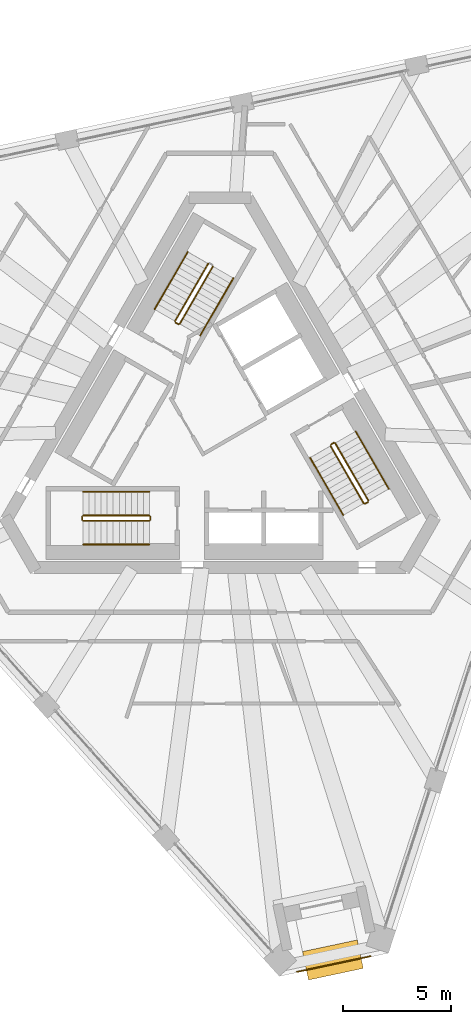
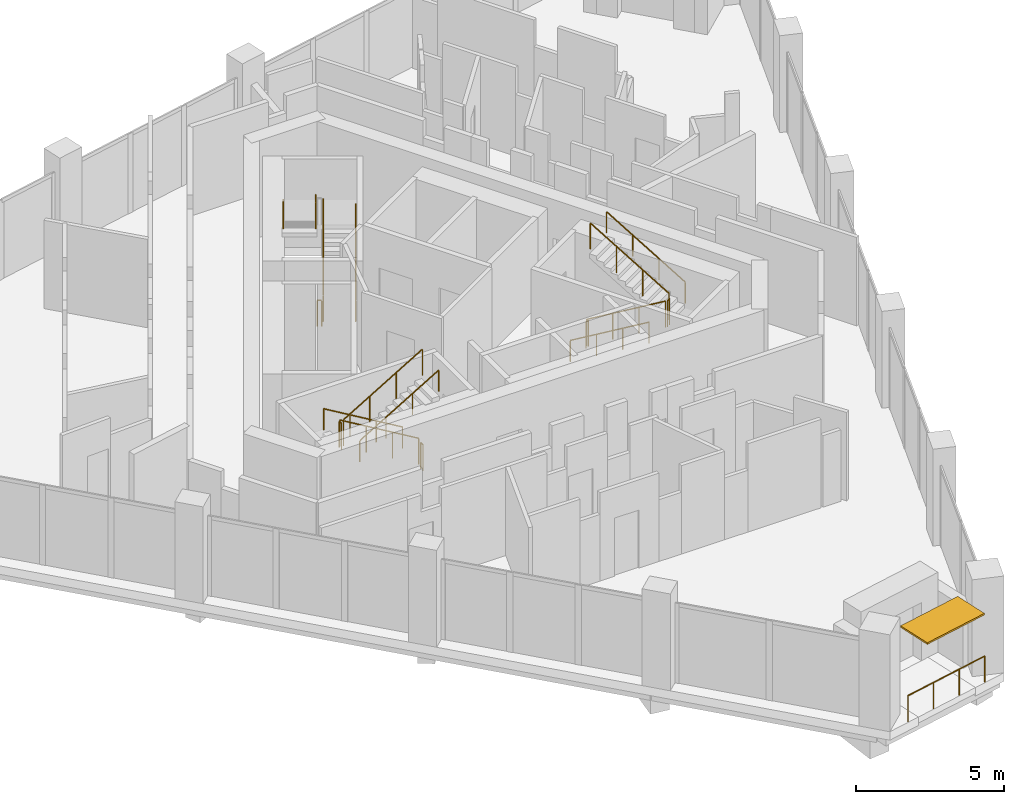
# One storey, part 15 of 17: 18 railings, 1 shading device.
"""IFC4 building model written with IfcOpenShell, lengths in metres."""

from ifc_helpers import new_model, si_unit, direction, frame, origin, origin_2d, place, context, subcontext, project, spatial, rectangle, circle, extrude, material, layer, layer_set, type_object, element, save


model = new_model("IFC4")

# Units and contexts
model_context = context("Model", 3, precision=1e-05, world=origin(), true_north=direction((0.0, 1.0)))
body_context = subcontext(model_context, "Body", "Model", "MODEL_VIEW")
ifc_project = project(units=[si_unit("LENGTHUNIT", "METRE"), si_unit("AREAUNIT", "SQUARE_METRE"), si_unit("VOLUMEUNIT", "CUBIC_METRE"), si_unit("PLANEANGLEUNIT", "RADIAN"), si_unit("MASSUNIT", "GRAM", prefix="KILO")], contexts=[model_context])

# Site, building, storey
site_placement = place(None, origin())
site = spatial("IfcSite", under=ifc_project, at=site_placement, CompositionType="ELEMENT")
building_placement = place(site_placement, origin())
building = spatial("IfcBuilding", under=site, at=building_placement, Name="Tramontana Tower", CompositionType="ELEMENT")
storey_placement = place(building_placement, frame((0.0, 0.0, 348.39990234375)))
storey = spatial("IfcBuildingStorey", under=building, at=storey_placement, Name="L80", CompositionType="ELEMENT", Elevation=348.39990234375)

# Railing
ifc_material_1 = material(Name="Laminated glass balustrade", Category="glass")
railing_type_1 = type_object("IfcRailingType", Name="GD1 Loggia glass balustrade 1100", PredefinedType="BALUSTRADE", material=ifc_material_1)
railing_1_placement = place(storey_placement, frame((7.00732421875, -24.549560546875, 0.0)))
element("IfcRailing", 1, at=railing_1_placement, inside=storey, type_object=railing_type_1, Name="Corner loggia balustrade L80 K81", PredefinedType="BALUSTRADE", context=body_context, shape_type="SweptSolid", body=[
    extrude(circle(Radius=0.02392578125, at=origin_2d()), frame((0.0, 0.0, 1.076171875), z_axis=(-0.978143070564, -0.20793300245, 0.0), x_axis=(0.20793300245, -0.978143070564, 0.0)), (0.0, 0.0, 1.0), 3.5),
    extrude(circle(Radius=0.02099609375, at=origin_2d()), origin(), (0.0, 0.0, 1.0), 1.052001953125),
    extrude(circle(Radius=0.02099609375, at=origin_2d()), frame((-1.14111328125, -0.24267578125, 0.0)), (0.0, 0.0, 1.0), 1.052001953125),
    extrude(circle(Radius=0.02099609375, at=origin_2d()), frame((-2.282470703125, -0.485107421875, 0.0)), (0.0, 0.0, 1.0), 1.052001953125),
    extrude(circle(Radius=0.02099609375, at=origin_2d()), frame((-3.423583984375, -0.727783203125, 0.0)), (0.0, 0.0, 1.0), 1.052001953125),
])

# Shading device
ifc_material_2 = material(Name="Precast concrete 60 MPa", Category="concrete")
ifc_layer = layer(ifc_material_2, 0.070068359375)
ifc_layer_set = layer_set([ifc_layer], Name="SS2 Stone sunshade blade 70")
shading_device_type = type_object("IfcShadingDeviceType", Name="SS2 Stone sunshade blade 70", PredefinedType="USERDEFINED", material=ifc_layer_set)
shading_device_placement = place(storey_placement, frame((5.2548828125, -24.72265625, 3.22998046875), z_axis=(0.0, 0.0, 1.0), x_axis=(-0.978147600734, -0.207911690818, 0.0)))
element("IfcShadingDevice", 2, at=shading_device_placement, inside=storey, type_object=shading_device_type, Name="Corner sunshade L80 K81", ObjectType="SUNSHADE", PredefinedType="USERDEFINED", context=body_context, shape_type="SweptSolid", body=[
    extrude(rectangle(XDim=2.60009765625, YDim=1.35009765625, at=origin_2d()), origin(), (0.0, 0.0, 1.0), 0.070068359375),
])

# Railings
ifc_material_3 = material(Name="Painted steel", Category="steel")
railing_type_2 = type_object("IfcRailingType", Name="STAIR GUARD 1100", PredefinedType="GUARDRAIL", material=ifc_material_3)
railing_2_placement = place(storey_placement, frame((-1.867431640625, 4.865478515625, 0.166748046875)))
element("IfcRailing", 3, at=railing_2_placement, inside=storey, type_object=railing_type_2, Name="L80 ST1 stair guard 1", PredefinedType="GUARDRAIL", context=body_context, shape_type="SweptSolid", body=[
    extrude(circle(Radius=0.02392578125, at=origin_2d()), frame((0.0, 0.0, 1.076171875), z_axis=(0.429649414936, 0.744189839504, 0.511451721109), x_axis=(-0.866029832698, 0.499992328818, 0.0)), (0.0, 0.0, 1.0), 3.58447265625),
    extrude(circle(Radius=0.02099609375, at=origin_2d()), origin(), (0.0, 0.0, 1.0), 1.052001953125),
    extrude(circle(Radius=0.02099609375, at=origin_2d()), frame((0.513427734375, 0.88916015625, 0.611083984375)), (0.0, 0.0, 1.0), 1.052001953125),
    extrude(circle(Radius=0.02099609375, at=origin_2d()), frame((1.026611328125, 1.7783203125, 1.22216796875)), (0.0, 0.0, 1.0), 1.052001953125),
    extrude(circle(Radius=0.02099609375, at=origin_2d()), frame((1.5400390625, 2.66748046875, 1.833251953125)), (0.0, 0.0, 1.0), 1.052001953125),
])
railing_3_placement = place(storey_placement, frame((-0.5439453125, 7.657958984375, 2.166748046875)))
element("IfcRailing", 4, at=railing_3_placement, inside=storey, type_object=railing_type_2, Name="L80 ST1 stair guard 2", PredefinedType="GUARDRAIL", context=body_context, shape_type="SweptSolid", body=[
    extrude(circle(Radius=0.02392578125, at=origin_2d()), frame((0.0, 0.0, 1.076171875), z_axis=(-0.429649414936, -0.744189839504, 0.511451721109), x_axis=(0.866029832698, -0.499992328818, 0.0)), (0.0, 0.0, 1.0), 3.58447265625),
    extrude(circle(Radius=0.02099609375, at=origin_2d()), origin(), (0.0, 0.0, 1.0), 1.052001953125),
    extrude(circle(Radius=0.02099609375, at=origin_2d()), frame((-0.513427734375, -0.88916015625, 0.611083984375)), (0.0, 0.0, 1.0), 1.052001953125),
    extrude(circle(Radius=0.02099609375, at=origin_2d()), frame((-1.026611328125, -1.7783203125, 1.22216796875)), (0.0, 0.0, 1.0), 1.052001953125),
    extrude(circle(Radius=0.02099609375, at=origin_2d()), frame((-1.5400390625, -2.66748046875, 1.833251953125)), (0.0, 0.0, 1.0), 1.052001953125),
])
railing_4_placement = place(storey_placement, frame((-1.935791015625, 4.84716796875, 0.0)))
element("IfcRailing", 5, at=railing_4_placement, inside=storey, type_object=railing_type_2, Name="L80 ST1 stair guard 4", PredefinedType="GUARDRAIL", context=body_context, shape_type="SweptSolid", body=[
    extrude(circle(Radius=0.02392578125, at=origin_2d()), frame((0.0, 0.0, 1.076171875), z_axis=(-0.865426285481, 0.501036270542, 0.0), x_axis=(-0.501036270542, -0.865426285481, 0.0)), (0.0, 0.0, 1.0), 0.150146484375),
    extrude(circle(Radius=0.02099609375, at=origin_2d()), origin(), (0.0, 0.0, 1.0), 1.052001953125),
    extrude(circle(Radius=0.02099609375, at=origin_2d()), frame((-0.1298828125, 0.0751953125, 0.0)), (0.0, 0.0, 1.0), 1.052001953125),
])
railing_5_placement = place(storey_placement, frame((-3.280029296875, -4.050048828125, 0.166748046875)))
element("IfcRailing", 6, at=railing_5_placement, inside=storey, type_object=railing_type_2, Name="L80 ST2 stair guard 1", PredefinedType="GUARDRAIL", context=body_context, shape_type="SweptSolid", body=[
    extrude(circle(Radius=0.02392578125, at=origin_2d()), frame((0.0, 0.0, 1.076171875), z_axis=(-0.859308565015, 0.0, 0.511457515432), x_axis=(0.0, -1.0, 0.0)), (0.0, 0.0, 1.0), 3.58447265625),
    extrude(circle(Radius=0.02099609375, at=origin_2d()), origin(), (0.0, 0.0, 1.0), 1.052001953125),
    extrude(circle(Radius=0.02099609375, at=origin_2d()), frame((-1.026611328125, 0.0, 0.611083984375)), (0.0, 0.0, 1.0), 1.052001953125),
    extrude(circle(Radius=0.02099609375, at=origin_2d()), frame((-2.053466796875, 0.0, 1.22216796875)), (0.0, 0.0, 1.0), 1.052001953125),
    extrude(circle(Radius=0.02099609375, at=origin_2d()), frame((-3.080078125, 0.0, 1.833251953125)), (0.0, 0.0, 1.0), 1.052001953125),
])
railing_6_placement = place(storey_placement, frame((-6.360107421875, -4.300048828125, 2.166748046875)))
element("IfcRailing", 7, at=railing_6_placement, inside=storey, type_object=railing_type_2, Name="L80 ST2 stair guard 2", PredefinedType="GUARDRAIL", context=body_context, shape_type="SweptSolid", body=[
    extrude(circle(Radius=0.02392578125, at=origin_2d()), frame((0.0, 0.0, 1.076171875), z_axis=(0.859308565015, 0.0, 0.511457515432), x_axis=(0.0, 1.0, 0.0)), (0.0, 0.0, 1.0), 3.58447265625),
    extrude(circle(Radius=0.02099609375, at=origin_2d()), origin(), (0.0, 0.0, 1.0), 1.052001953125),
    extrude(circle(Radius=0.02099609375, at=origin_2d()), frame((1.026611328125, 0.0, 0.611083984375)), (0.0, 0.0, 1.0), 1.052001953125),
    extrude(circle(Radius=0.02099609375, at=origin_2d()), frame((2.053466796875, 0.0, 1.22216796875)), (0.0, 0.0, 1.0), 1.052001953125),
    extrude(circle(Radius=0.02099609375, at=origin_2d()), frame((3.080078125, 0.0, 1.833251953125)), (0.0, 0.0, 1.0), 1.052001953125),
])
for number, where, name in (
    (8, (-6.409912109375, -4.10009765625, 2.0), "L80 ST2 stair guard 3"),
    (9, (-3.22998046875, -4.10009765625, 0.0), "L80 ST2 stair guard 4"),
):
    element("IfcRailing", number, at=place(storey_placement, frame(where)), inside=storey, type_object=railing_type_2, Name=name, PredefinedType="GUARDRAIL", context=body_context, shape_type="SweptSolid", body=[
        extrude(circle(Radius=0.02392578125, at=origin_2d()), frame((0.0, 0.0, 1.076171875), z_axis=(0.0, -1.0, 0.0), x_axis=(1.0, 0.0, 0.0)), (0.0, 0.0, 1.0), 0.14990234375),
        extrude(circle(Radius=0.02099609375, at=origin_2d()), origin(), (0.0, 0.0, 1.0), 1.052001953125),
        extrude(circle(Radius=0.02099609375, at=origin_2d()), frame((0.0, -0.14990234375, 0.0)), (0.0, 0.0, 1.0), 1.052001953125),
    ])
railing_7_placement = place(storey_placement, frame((5.1474609375, -0.815673828125, 0.166748046875)))
element("IfcRailing", 10, at=railing_7_placement, inside=storey, type_object=railing_type_2, Name="L80 ST3 stair guard 1", PredefinedType="GUARDRAIL", context=body_context, shape_type="SweptSolid", body=[
    extrude(circle(Radius=0.02392578125, at=origin_2d()), frame((0.0, 0.0, 1.076171875), z_axis=(0.429671193721, -0.744159446956, 0.511477646425), x_axis=(0.866010015463, 0.500026652407, 0.0)), (0.0, 0.0, 1.0), 3.584228515625),
    extrude(circle(Radius=0.02099609375, at=origin_2d()), origin(), (0.0, 0.0, 1.0), 1.052001953125),
    extrude(circle(Radius=0.02099609375, at=origin_2d()), frame((0.513427734375, -0.88916015625, 0.611083984375)), (0.0, 0.0, 1.0), 1.052001953125),
    extrude(circle(Radius=0.02099609375, at=origin_2d()), frame((1.026611328125, -1.778076171875, 1.22216796875)), (0.0, 0.0, 1.0), 1.052001953125),
    extrude(circle(Radius=0.02099609375, at=origin_2d()), frame((1.5400390625, -2.667236328125, 1.833251953125)), (0.0, 0.0, 1.0), 1.052001953125),
])
railing_8_placement = place(storey_placement, frame((6.90380859375, -3.35791015625, 2.166748046875)))
element("IfcRailing", 11, at=railing_8_placement, inside=storey, type_object=railing_type_2, Name="L80 ST3 stair guard 2", PredefinedType="GUARDRAIL", context=body_context, shape_type="SweptSolid", body=[
    extrude(circle(Radius=0.02392578125, at=origin_2d()), frame((0.0, 0.0, 1.076171875), z_axis=(-0.429615651263, 0.74418122563, 0.511492615401), x_axis=(-0.866044340336, -0.499967199496, 0.0)), (0.0, 0.0, 1.0), 3.584228515625),
    extrude(circle(Radius=0.02099609375, at=origin_2d()), origin(), (0.0, 0.0, 1.0), 1.052001953125),
    extrude(circle(Radius=0.02099609375, at=origin_2d()), frame((-0.51318359375, 0.88916015625, 0.611083984375)), (0.0, 0.0, 1.0), 1.052001953125),
    extrude(circle(Radius=0.02099609375, at=origin_2d()), frame((-1.026611328125, 1.778076171875, 1.22216796875)), (0.0, 0.0, 1.0), 1.052001953125),
    extrude(circle(Radius=0.02099609375, at=origin_2d()), frame((-1.539794921875, 2.667236328125, 1.833251953125)), (0.0, 0.0, 1.0), 1.052001953125),
])
for number, where, name in (
    (12, (6.755615234375, -3.501220703125, 2.0), "L80 ST3 stair guard 3"),
    (13, (5.165771484375, -0.747314453125, 0.0), "L80 ST3 stair guard 4"),
):
    element("IfcRailing", number, at=place(storey_placement, frame(where)), inside=storey, type_object=railing_type_2, Name=name, PredefinedType="GUARDRAIL", context=body_context, shape_type="SweptSolid", body=[
        extrude(circle(Radius=0.02392578125, at=origin_2d()), frame((0.0, 0.0, 1.076171875), z_axis=(0.866131372301, 0.499816412211, 0.0), x_axis=(-0.499816412211, 0.866131372301, 0.0)), (0.0, 0.0, 1.0), 0.14990234375),
        extrude(circle(Radius=0.02099609375, at=origin_2d()), origin(), (0.0, 0.0, 1.0), 1.052001953125),
        extrude(circle(Radius=0.02099609375, at=origin_2d()), frame((0.1298828125, 0.074951171875, 0.0)), (0.0, 0.0, 1.0), 1.052001953125),
    ])
ifc_material_4 = material(Name="Painted steel", Category="steel")
railing_type_3 = type_object("IfcRailingType", Name="STAIR HANDRAIL 900", PredefinedType="HANDRAIL", material=ifc_material_4)
railing_9_placement = place(storey_placement, frame((-0.914794921875, 4.315673828125, 0.166748046875)))
element("IfcRailing", 14, at=railing_9_placement, inside=storey, type_object=railing_type_3, Name="L80 ST1 stair handrail 1", PredefinedType="HANDRAIL", context=body_context, shape_type="SweptSolid", body=[
    extrude(circle(Radius=0.02392578125, at=origin_2d()), frame((0.0, 0.0, 0.8759765625), z_axis=(0.429671193721, 0.744159446956, 0.511477646425), x_axis=(-0.866010015463, 0.500026652407, 0.0)), (0.0, 0.0, 1.0), 3.584228515625),
    extrude(circle(Radius=0.02099609375, at=origin_2d()), origin(), (0.0, 0.0, 1.0), 0.851806640625),
    extrude(circle(Radius=0.02099609375, at=origin_2d()), frame((0.513427734375, 0.88916015625, 0.611083984375)), (0.0, 0.0, 1.0), 0.851806640625),
    extrude(circle(Radius=0.02099609375, at=origin_2d()), frame((1.026611328125, 1.778076171875, 1.22216796875)), (0.0, 0.0, 1.0), 0.851806640625),
    extrude(circle(Radius=0.02099609375, at=origin_2d()), frame((1.5400390625, 2.667236328125, 1.833251953125)), (0.0, 0.0, 1.0), 0.851806640625),
])
railing_10_placement = place(storey_placement, frame((-1.49658203125, 8.2080078125, 2.166748046875)))
element("IfcRailing", 15, at=railing_10_placement, inside=storey, type_object=railing_type_3, Name="L80 ST1 stair handrail 2", PredefinedType="HANDRAIL", context=body_context, shape_type="SweptSolid", body=[
    extrude(circle(Radius=0.02392578125, at=origin_2d()), frame((0.0, 0.0, 0.8759765625), z_axis=(-0.429649414936, -0.744189839504, 0.511451721109), x_axis=(0.866029832698, -0.499992328818, 0.0)), (0.0, 0.0, 1.0), 3.58447265625),
    extrude(circle(Radius=0.02099609375, at=origin_2d()), origin(), (0.0, 0.0, 1.0), 0.851806640625),
    extrude(circle(Radius=0.02099609375, at=origin_2d()), frame((-0.513427734375, -0.88916015625, 0.611083984375)), (0.0, 0.0, 1.0), 0.851806640625),
    extrude(circle(Radius=0.02099609375, at=origin_2d()), frame((-1.026611328125, -1.7783203125, 1.22216796875)), (0.0, 0.0, 1.0), 0.851806640625),
    extrude(circle(Radius=0.02099609375, at=origin_2d()), frame((-1.5400390625, -2.66748046875, 1.833251953125)), (0.0, 0.0, 1.0), 0.851806640625),
])
railing_11_placement = place(storey_placement, frame((-3.280029296875, -2.949951171875, 0.166748046875)))
element("IfcRailing", 16, at=railing_11_placement, inside=storey, type_object=railing_type_3, Name="L80 ST2 stair handrail 1", PredefinedType="HANDRAIL", context=body_context, shape_type="SweptSolid", body=[
    extrude(circle(Radius=0.02392578125, at=origin_2d()), frame((0.0, 0.0, 0.8759765625), z_axis=(-0.859308565015, 0.0, 0.511457515432), x_axis=(0.0, -1.0, 0.0)), (0.0, 0.0, 1.0), 3.58447265625),
    extrude(circle(Radius=0.02099609375, at=origin_2d()), origin(), (0.0, 0.0, 1.0), 0.851806640625),
    extrude(circle(Radius=0.02099609375, at=origin_2d()), frame((-1.026611328125, 0.0, 0.611083984375)), (0.0, 0.0, 1.0), 0.851806640625),
    extrude(circle(Radius=0.02099609375, at=origin_2d()), frame((-2.053466796875, 0.0, 1.22216796875)), (0.0, 0.0, 1.0), 0.851806640625),
    extrude(circle(Radius=0.02099609375, at=origin_2d()), frame((-3.080078125, 0.0, 1.833251953125)), (0.0, 0.0, 1.0), 0.851806640625),
])
railing_12_placement = place(storey_placement, frame((-6.360107421875, -5.39990234375, 2.166748046875)))
element("IfcRailing", 17, at=railing_12_placement, inside=storey, type_object=railing_type_3, Name="L80 ST2 stair handrail 2", PredefinedType="HANDRAIL", context=body_context, shape_type="SweptSolid", body=[
    extrude(circle(Radius=0.02392578125, at=origin_2d()), frame((0.0, 0.0, 0.8759765625), z_axis=(0.859308565015, 0.0, 0.511457515432), x_axis=(0.0, 1.0, 0.0)), (0.0, 0.0, 1.0), 3.58447265625),
    extrude(circle(Radius=0.02099609375, at=origin_2d()), origin(), (0.0, 0.0, 1.0), 0.851806640625),
    extrude(circle(Radius=0.02099609375, at=origin_2d()), frame((1.026611328125, 0.0, 0.611083984375)), (0.0, 0.0, 1.0), 0.851806640625),
    extrude(circle(Radius=0.02099609375, at=origin_2d()), frame((2.053466796875, 0.0, 1.22216796875)), (0.0, 0.0, 1.0), 0.851806640625),
    extrude(circle(Radius=0.02099609375, at=origin_2d()), frame((3.080078125, 0.0, 1.833251953125)), (0.0, 0.0, 1.0), 0.851806640625),
])
railing_13_placement = place(storey_placement, frame((4.19482421875, -1.365478515625, 0.166748046875)))
element("IfcRailing", 18, at=railing_13_placement, inside=storey, type_object=railing_type_3, Name="L80 ST3 stair handrail 1", PredefinedType="HANDRAIL", context=body_context, shape_type="SweptSolid", body=[
    extrude(circle(Radius=0.02392578125, at=origin_2d()), frame((0.0, 0.0, 0.8759765625), z_axis=(0.429649414936, -0.744189839504, 0.511451721109), x_axis=(0.866029832698, 0.499992328818, 0.0)), (0.0, 0.0, 1.0), 3.58447265625),
    extrude(circle(Radius=0.02099609375, at=origin_2d()), origin(), (0.0, 0.0, 1.0), 0.851806640625),
    extrude(circle(Radius=0.02099609375, at=origin_2d()), frame((0.513427734375, -0.88916015625, 0.611083984375)), (0.0, 0.0, 1.0), 0.851806640625),
    extrude(circle(Radius=0.02099609375, at=origin_2d()), frame((1.026611328125, -1.7783203125, 1.22216796875)), (0.0, 0.0, 1.0), 0.851806640625),
    extrude(circle(Radius=0.02099609375, at=origin_2d()), frame((1.5400390625, -2.66748046875, 1.833251953125)), (0.0, 0.0, 1.0), 0.851806640625),
])
railing_14_placement = place(storey_placement, frame((7.8564453125, -2.807861328125, 2.166748046875)))
element("IfcRailing", 19, at=railing_14_placement, inside=storey, type_object=railing_type_3, Name="L80 ST3 stair handrail 2", PredefinedType="HANDRAIL", context=body_context, shape_type="SweptSolid", body=[
    extrude(circle(Radius=0.02392578125, at=origin_2d()), frame((0.0, 0.0, 0.8759765625), z_axis=(-0.429615651263, 0.74418122563, 0.511492615401), x_axis=(-0.866044340336, -0.499967199496, 0.0)), (0.0, 0.0, 1.0), 3.584228515625),
    extrude(circle(Radius=0.02099609375, at=origin_2d()), origin(), (0.0, 0.0, 1.0), 0.851806640625),
    extrude(circle(Radius=0.02099609375, at=origin_2d()), frame((-0.51318359375, 0.88916015625, 0.611083984375)), (0.0, 0.0, 1.0), 0.851806640625),
    extrude(circle(Radius=0.02099609375, at=origin_2d()), frame((-1.026611328125, 1.778076171875, 1.22216796875)), (0.0, 0.0, 1.0), 0.851806640625),
    extrude(circle(Radius=0.02099609375, at=origin_2d()), frame((-1.539794921875, 2.667236328125, 1.833251953125)), (0.0, 0.0, 1.0), 0.851806640625),
])

save(model, "model.ifc")
